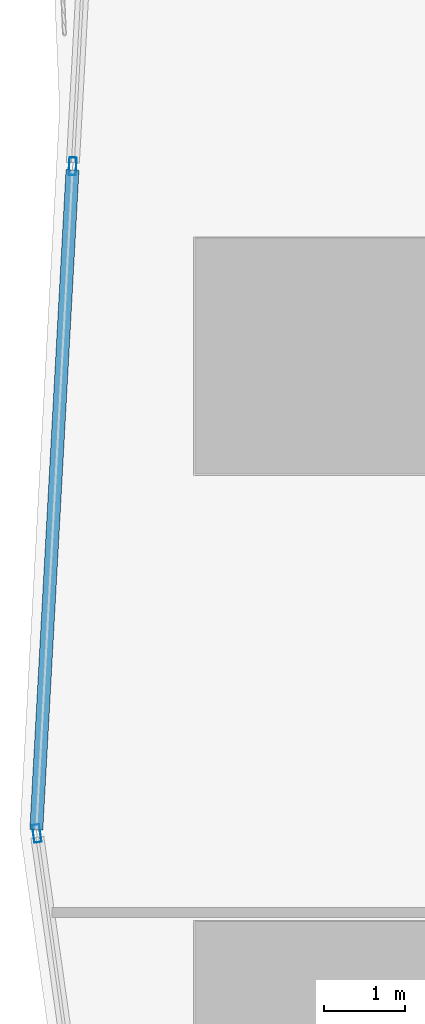
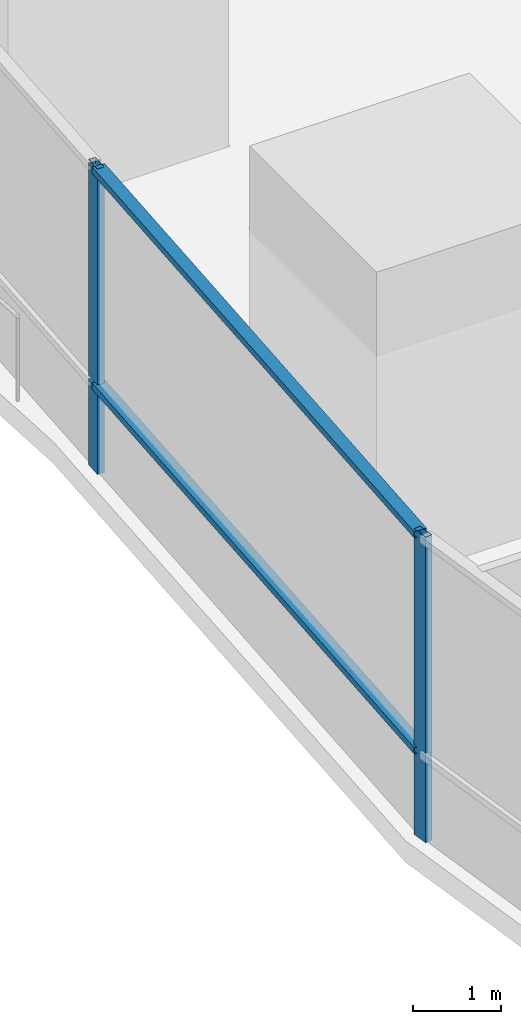
# One storey, part 5 of 44: 4 members, 2 elements without a shape of their own.
"""IFC4 building model written with IfcOpenShell, lengths in metres."""

from ifc_helpers import new_model, si_unit, direction, frame, origin, origin_2d, place, context, subcontext, project, spatial, hollow_rectangle, extrude, material, material_profile, profile_set, type_object, element, aggregate, save


model = new_model("IFC4")

# Units and contexts
model_context = context("Model", 3, precision=1e-05, world=origin(), true_north=direction((0.0, 1.0)))
body_context = subcontext(model_context, "Body", "Model", "MODEL_VIEW")
ifc_project = project(units=[si_unit("LENGTHUNIT", "METRE"), si_unit("AREAUNIT", "SQUARE_METRE"), si_unit("VOLUMEUNIT", "CUBIC_METRE"), si_unit("PLANEANGLEUNIT", "RADIAN"), si_unit("MASSUNIT", "GRAM", prefix="KILO")], contexts=[model_context])

# Site, building, storey
site_placement = place(None, origin())
site = spatial("IfcSite", under=ifc_project, at=site_placement, CompositionType="ELEMENT")
building_placement = place(site_placement, origin())
building = spatial("IfcBuilding", under=site, at=building_placement, Name="Rekha Terrace Tower", CompositionType="ELEMENT")
storey_placement = place(building_placement, frame((0.0, 0.0, 90.800048828125)))
storey = spatial("IfcBuildingStorey", under=building, at=storey_placement, Name="L22", CompositionType="ELEMENT", Elevation=90.800048828125)

# Curtain wall, member
ifc_material_1 = material(Name="Aluminium framing", Category="aluminium")
curtain_wall_type = type_object("IfcCurtainWallType", Name="CW5 sky garden glazing", PredefinedType="USERDEFINED", material=ifc_material_1)
curtain_wall_1_placement = place(storey_placement, origin())
curtain_wall_1 = element("IfcCurtainWall", 1, at=curtain_wall_1_placement, inside=storey, type_object=curtain_wall_type, Name="CW5 sky garden curtain wall", ObjectType="SKY GARDEN CURTAIN WALL", PredefinedType="USERDEFINED")
ifc_material_2 = material(Name="Aluminium mullion section", Category="aluminium")
ifc_material_profile_1 = material_profile(ifc_material_2, hollow_rectangle(XDim=0.090087890625, YDim=0.219970703125, WallThickness=0.00390625, at=origin_2d()), Name="AL RHS 90x220")
ifc_profile_set_1 = profile_set([ifc_material_profile_1], Name="Aluminium mullion section")
member_type_1 = type_object("IfcMemberType", Name="CW5 mullion RHS 90 x 220", PredefinedType="MULLION", material=ifc_profile_set_1)
member_1_placement = place(storey_placement, frame((5.447998046875, 35.934326171875, 0.0), z_axis=(0.0, 0.0, 1.0), x_axis=(0.998500513179, -0.054742352725, 0.0)))
member_1 = element("IfcMember", 2, at=member_1_placement, type_object=member_type_1, Name="CW5 mullion 4", PredefinedType="MULLION", context=body_context, shape_type="SweptSolid", body=[
    extrude(hollow_rectangle(XDim=0.090087890625, YDim=0.219970703125, WallThickness=0.00390625, at=origin_2d()), origin(), (0.0, 0.0, 1.0), 4.25),
])

curtain_wall_2_placement = place(storey_placement, origin())
curtain_wall_2 = element("IfcCurtainWall", 3, at=curtain_wall_2_placement, inside=storey, type_object=curtain_wall_type, Name="CW5 sky garden curtain wall", ObjectType="SKY GARDEN CURTAIN WALL", PredefinedType="USERDEFINED")
member_2_placement = place(storey_placement, frame((5.007080078125, 27.73193359375, 0.0), z_axis=(0.0, 0.0, 1.0), x_axis=(0.990208394312, 0.139597048082, 0.0)))
member_2 = element("IfcMember", 4, at=member_2_placement, type_object=member_type_1, Name="CW5 mullion 1", PredefinedType="MULLION", context=body_context, shape_type="SweptSolid", body=[
    extrude(hollow_rectangle(XDim=0.090087890625, YDim=0.219970703125, WallThickness=0.00390625, at=origin_2d()), origin(), (0.0, 0.0, 1.0), 4.25),
])
aggregate(curtain_wall_2, [member_2])

# Member
ifc_material_3 = material(Name="Aluminium transom section", Category="aluminium")
ifc_material_profile_2 = material_profile(ifc_material_3, hollow_rectangle(XDim=0.159912109375, YDim=0.090087890625, WallThickness=0.0029296875, at=origin_2d()), Name="AL RHS 160x90")
ifc_profile_set_2 = profile_set([ifc_material_profile_2], Name="Aluminium transom section")
member_type_2 = type_object("IfcMemberType", Name="CW5 transom RHS 90 x 160", PredefinedType="USERDEFINED", material=ifc_profile_set_2)
member_3_placement = place(storey_placement, frame((5.445556640625, 35.889404296875, 1.199951171875), z_axis=(-0.054747739899, -0.998500217815, 0.0), x_axis=(0.998500217815, -0.054747739899, 0.0)))
member_3 = element("IfcMember", 5, at=member_3_placement, type_object=member_type_2, Name="CW5 transom 4.2", ObjectType="TRANSOM", PredefinedType="USERDEFINED", context=body_context, shape_type="SweptSolid", body=[
    extrude(hollow_rectangle(XDim=0.159912109375, YDim=0.090087890625, WallThickness=0.0029296875, at=origin_2d()), origin(), (0.0, 0.0, 1.0), 8.125),
])

member_4_placement = place(storey_placement, frame((5.445556640625, 35.889404296875, 4.204833984375), z_axis=(-0.054747739899, -0.998500217815, 0.0), x_axis=(0.998500217815, -0.054747739899, 0.0)))
member_4 = element("IfcMember", 6, at=member_4_placement, type_object=member_type_2, Name="CW5 transom 4.3", ObjectType="TRANSOM", PredefinedType="USERDEFINED", context=body_context, shape_type="SweptSolid", body=[
    extrude(hollow_rectangle(XDim=0.159912109375, YDim=0.090087890625, WallThickness=0.0029296875, at=origin_2d()), origin(), (0.0, 0.0, 1.0), 8.125),
])

aggregate(curtain_wall_1, [member_1, member_3, member_4])

save(model, "model.ifc")
